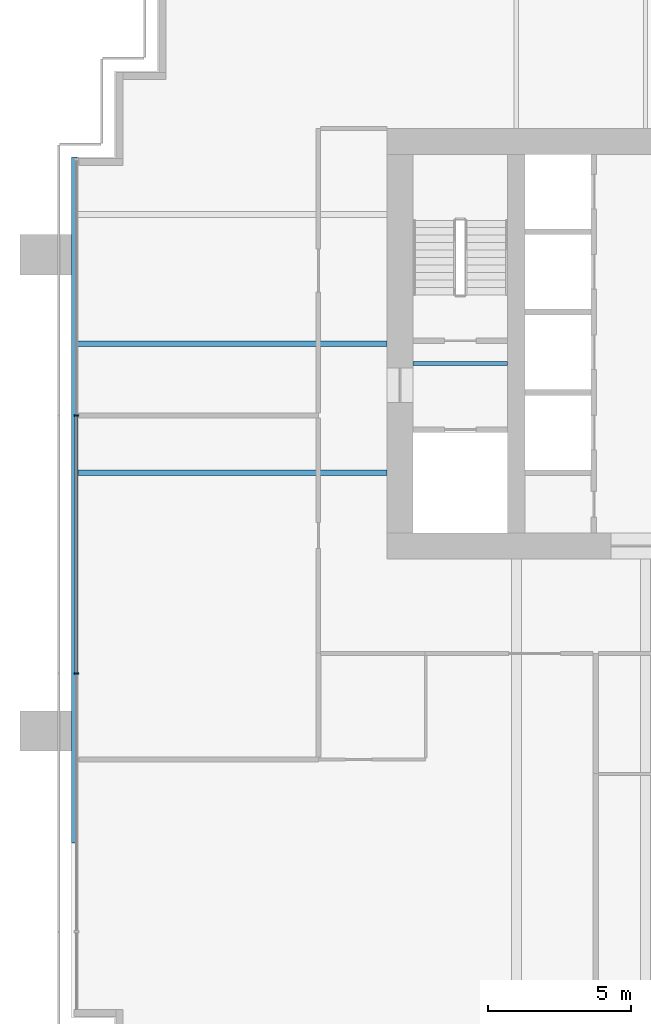
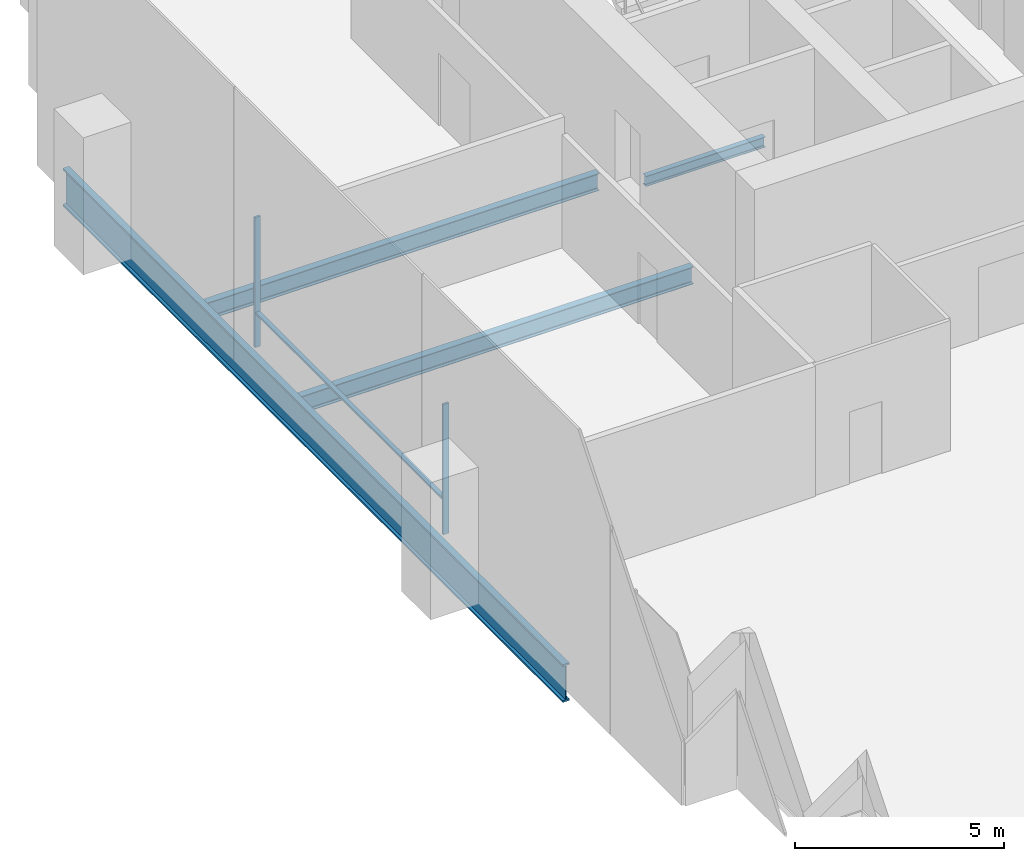
# One storey, part 4 of 16: 4 beams, 3 members, 1 element without a shape of its own.
"""IFC4 building model written with IfcOpenShell, lengths in metres."""

from ifc_helpers import new_model, si_unit, direction, frame, origin, origin_2d, place, context, subcontext, project, spatial, rectangle, i_section, extrude, material, material_profile, profile_set, type_object, element, aggregate, save


model = new_model("IFC4")

# Units and contexts
model_context = context("Model", 3, precision=1e-05, world=origin(), true_north=direction((0.0, 1.0)))
body_context = subcontext(model_context, "Body", "Model", "MODEL_VIEW")
ifc_project = project(units=[si_unit("LENGTHUNIT", "METRE"), si_unit("AREAUNIT", "SQUARE_METRE"), si_unit("VOLUMEUNIT", "CUBIC_METRE"), si_unit("PLANEANGLEUNIT", "RADIAN"), si_unit("MASSUNIT", "GRAM", prefix="KILO")], contexts=[model_context])

# Site, building, storey
site_placement = place(None, origin())
site = spatial("IfcSite", under=ifc_project, at=site_placement, CompositionType="ELEMENT")
building_placement = place(site_placement, origin())
building = spatial("IfcBuilding", under=site, at=building_placement, Name="Rattan Terrace Tower", CompositionType="ELEMENT")
storey_placement = place(building_placement, frame((0.0, 0.0, 150.10009765625)))
storey = spatial("IfcBuildingStorey", under=building, at=storey_placement, Name="L34", CompositionType="ELEMENT", Elevation=150.10009765625)

# Curtain wall, members
ifc_material_1 = material(Name="Aluminium and glass", Category="aluminium")
curtain_wall_type = type_object("IfcCurtainWallType", Name="Facade Unitised Curtain Wall", PredefinedType="NOTDEFINED", material=ifc_material_1)
curtain_wall_placement = place(storey_placement, origin())
curtain_wall = element("IfcCurtainWall", 1, at=curtain_wall_placement, inside=storey, type_object=curtain_wall_type, Name="Curtain wall L34-3", PredefinedType="NOTDEFINED")
ifc_material_2 = material(Name="Aluminium", Category="aluminium")
ifc_material_profile_1 = material_profile(ifc_material_2, rectangle(XDim=0.06005859375, YDim=0.159912109375, at=origin_2d()), Name="Aluminium 60x160")
ifc_profile_set_1 = profile_set([ifc_material_profile_1], Name="Aluminium")
member_type_1 = type_object("IfcMemberType", Name="Facade CW Mullion 60x160", PredefinedType="MULLION", material=ifc_profile_set_1)
member_1_placement = place(storey_placement, frame((-28.830078125, -2.5, 0.0), z_axis=(0.0, 0.0, 1.0), x_axis=(0.0, -1.0, 0.0)))
member_1 = element("IfcMember", 2, at=member_1_placement, type_object=member_type_1, Name="Mullion cwl-L34-003.2", PredefinedType="MULLION", context=body_context, shape_type="SweptSolid", body=[
    extrude(rectangle(XDim=0.06005859375, YDim=0.159912109375, at=origin_2d()), origin(), (0.0, 0.0, 1.0), 3.7998046875),
])
member_2_placement = place(storey_placement, frame((-28.830078125, -11.5, 0.0), z_axis=(0.0, 0.0, 1.0), x_axis=(0.0, -1.0, 0.0)))
member_2 = element("IfcMember", 3, at=member_2_placement, type_object=member_type_1, Name="Mullion cwl-L34-003.3", PredefinedType="MULLION", context=body_context, shape_type="SweptSolid", body=[
    extrude(rectangle(XDim=0.06005859375, YDim=0.159912109375, at=origin_2d()), origin(), (0.0, 0.0, 1.0), 3.7998046875),
])
ifc_material_3 = material(Name="Aluminium", Category="aluminium")
ifc_material_profile_2 = material_profile(ifc_material_3, rectangle(XDim=0.1201171875, YDim=0.06005859375, at=origin_2d()), Name="Aluminium 120x60")
ifc_profile_set_2 = profile_set([ifc_material_profile_2], Name="Aluminium")
member_type_2 = type_object("IfcMemberType", Name="Facade CW Transom 120x60", PredefinedType="USERDEFINED", material=ifc_profile_set_2)
member_3_placement = place(storey_placement, frame((-28.830078125, -2.530029296875, 1.0), z_axis=(0.0, -1.0, 0.0), x_axis=(1.0, 0.0, 0.0)))
member_3 = element("IfcMember", 4, at=member_3_placement, type_object=member_type_2, Name="Transom cwl-L34-003.2", ObjectType="TRANSOM", PredefinedType="USERDEFINED", context=body_context, shape_type="SweptSolid", body=[
    extrude(rectangle(XDim=0.1201171875, YDim=0.06005859375, at=origin_2d()), origin(), (0.0, 0.0, 1.0), 8.93994140625),
])
aggregate(curtain_wall, [member_1, member_2, member_3])

# Beams
ifc_material_4 = material(Name="Steel S460", Category="steel")
ifc_material_profile_3 = material_profile(ifc_material_4, i_section(OverallWidth=0.179931640625, OverallDepth=1.10009765625, WebThickness=0.01611328125, FlangeThickness=0.050048828125, at=origin_2d()), Name="PG 1100x180-16-50")
ifc_profile_set_3 = profile_set([ifc_material_profile_3], Name="Steel S460")
beam_type_1 = type_object("IfcBeamType", Name="Frame edge girder PG 1100x180-16-50", PredefinedType="SPANDREL", material=ifc_profile_set_3)
beam_1_placement = place(storey_placement, frame((-28.909912109375, -17.39990234375, -0.75), z_axis=(0.0, 1.0, 0.0), x_axis=(-1.0, 0.0, 0.0)))
element("IfcBeam", 5, at=beam_1_placement, inside=storey, type_object=beam_type_1, Name="gdr-L34-003", PredefinedType="SPANDREL", context=body_context, shape_type="SweptSolid", body=[
    extrude(i_section(OverallWidth=0.179931640625, OverallDepth=1.10009765625, WebThickness=0.01611328125, FlangeThickness=0.050048828125, at=origin_2d()), origin(), (0.0, 0.0, 1.0), 23.89990234375),
])
ifc_material_5 = material(Name="Steel S355", Category="steel")
ifc_material_profile_4 = material_profile(ifc_material_5, i_section(OverallWidth=0.14990234375, OverallDepth=0.300048828125, WebThickness=0.007080078125, FlangeThickness=0.0107421875, FilletRadius=0.014892578125, at=origin_2d()), Name="IPE 300")
ifc_profile_set_4 = profile_set([ifc_material_profile_4], Name="Steel S355")
beam_type_2 = type_object("IfcBeamType", Name="Frame floor beam IPE 300", PredefinedType="JOIST", material=ifc_profile_set_4)
beam_2_placement = place(storey_placement, frame((-17.10009765625, -0.695068359375, -0.35009765625), z_axis=(1.0, 0.0, 0.0), x_axis=(0.0, 1.0, 0.0)))
element("IfcBeam", 6, at=beam_2_placement, inside=storey, type_object=beam_type_2, Name="bm-L34-001", PredefinedType="JOIST", context=body_context, shape_type="SweptSolid", body=[
    extrude(i_section(OverallWidth=0.14990234375, OverallDepth=0.300048828125, WebThickness=0.007080078125, FlangeThickness=0.0107421875, FilletRadius=0.014892578125, at=origin_2d()), origin(), (0.0, 0.0, 1.0), 3.300048828125),
])
ifc_material_6 = material(Name="Steel S355", Category="steel")
ifc_material_profile_5 = material_profile(ifc_material_6, i_section(OverallWidth=0.199951171875, OverallDepth=0.5, WebThickness=0.01025390625, FlangeThickness=0.01611328125, FilletRadius=0.02099609375, at=origin_2d()), Name="IPE 500")
ifc_profile_set_5 = profile_set([ifc_material_profile_5], Name="Steel S355")
beam_type_3 = type_object("IfcBeamType", Name="Frame floor beam IPE 500", PredefinedType="JOIST", material=ifc_profile_set_5)
for number, where, z_axis, x_axis, name in (
    (7, (-28.820068359375, -4.5, -0.4501953125), (1.0, 0.0, 0.0), (0.0, 1.0, 0.0), "bm-L34-010"),
    (8, (-28.820068359375, 0.0, -0.4501953125), (1.0, 0.0, 0.0), (0.0, 1.0, 0.0), "bm-L34-012"),
):
    element("IfcBeam", number, at=place(storey_placement, frame(where, z_axis=z_axis, x_axis=x_axis)), inside=storey, type_object=beam_type_3, Name=name, PredefinedType="JOIST", context=body_context, shape_type="SweptSolid", body=[
        extrude(i_section(OverallWidth=0.199951171875, OverallDepth=0.5, WebThickness=0.01025390625, FlangeThickness=0.01611328125, FilletRadius=0.02099609375, at=origin_2d()), origin(), (0.0, 0.0, 1.0), 10.820068359375),
    ])

save(model, "model.ifc")
